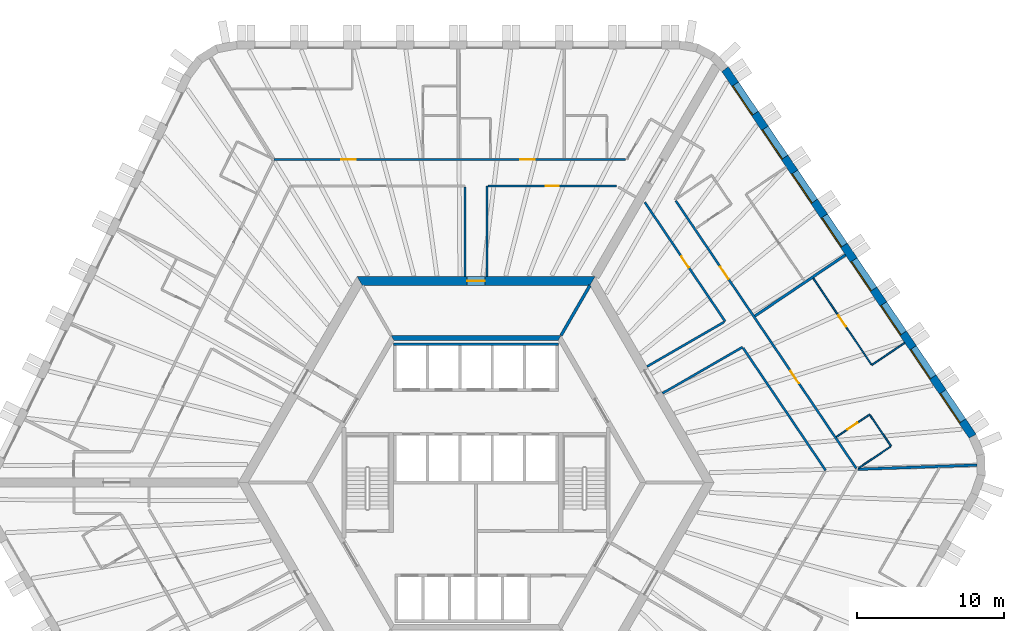
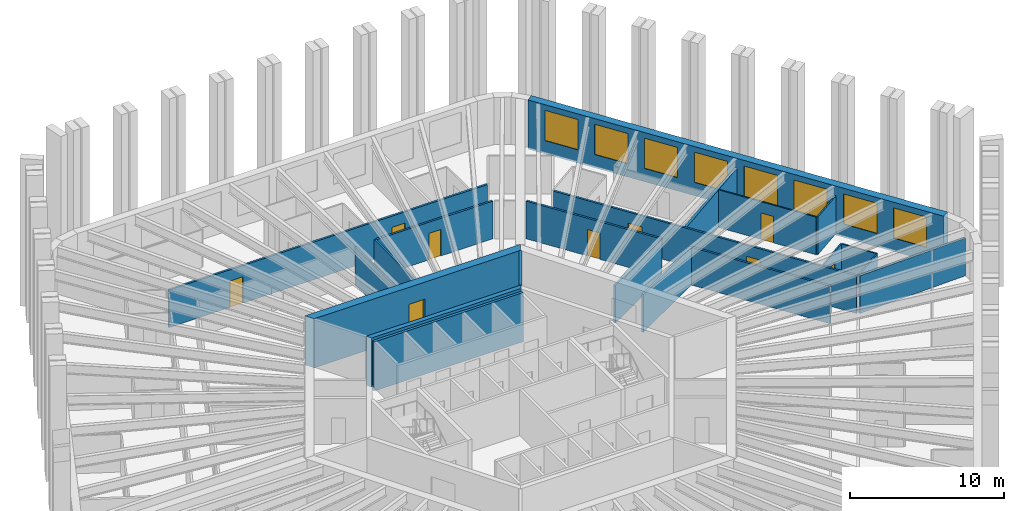
# One storey, part 9 of 13: 21 walls, 9 doors, 8 windows, 17 openings.
"""IFC4 building model written with IfcOpenShell, lengths in metres."""

from ifc_helpers import new_model, si_unit, direction, frame, frame_2d, origin, place, context, subcontext, project, spatial, polyline, rectangle, outline, extrude, material, layer, layer_set, type_object, element, fill, save


model = new_model("IFC4")

# Units and contexts
model_context = context("Model", 3, precision=1e-05, world=origin(), true_north=direction((0.0, 1.0)))
body_context = subcontext(model_context, "Body", "Model", "MODEL_VIEW")
ifc_project = project(units=[si_unit("LENGTHUNIT", "METRE"), si_unit("AREAUNIT", "SQUARE_METRE"), si_unit("VOLUMEUNIT", "CUBIC_METRE"), si_unit("PLANEANGLEUNIT", "RADIAN"), si_unit("MASSUNIT", "GRAM", prefix="KILO")], contexts=[model_context])

# Site, building, storey
site_placement = place(None, origin())
site = spatial("IfcSite", under=ifc_project, at=site_placement, CompositionType="ELEMENT")
building_placement = place(site_placement, origin())
building = spatial("IfcBuilding", under=site, at=building_placement, Name="Tarnside Tower", CompositionType="ELEMENT")
storey_placement = place(building_placement, frame((0.0, 0.0, 111.60009765625)))
storey = spatial("IfcBuildingStorey", under=building, at=storey_placement, Name="L25", CompositionType="ELEMENT", Elevation=111.60009765625)

# Wall, opening, door
ifc_material_1 = material(Name="Gypsum board partition on steel studs", Category="steel")
ifc_layer_1 = layer(ifc_material_1, 0.10009765625)
ifc_layer_set_1 = layer_set([ifc_layer_1], Name="Bathroom wall 100")
wall_type_1 = type_object("IfcWallType", Name="Bathroom wall 100", PredefinedType="PARTITIONING", material=ifc_layer_set_1)
wall_1_placement = place(storey_placement, frame((24.4755859375, 3.100830078125, 0.0), z_axis=(0.0, 0.0, 1.0), x_axis=(0.829047014003, 0.559178905694, 0.0)))
wall_1 = element("IfcWall", 1, at=wall_1_placement, inside=storey, type_object=wall_type_1, Name="Bathroom wall 08137", PredefinedType="PARTITIONING", context=body_context, shape_type="SweptSolid", body=[
    extrude(rectangle(XDim=2.724853515625, YDim=0.10009765625, at=frame_2d((1.3623046875, 0.0))), origin(), (0.0, 0.0, 1.0), 2.98779296875),
])
opening_1_placement = place(wall_1_placement, frame((0.925048828125, 0.0, 0.0)))
opening_1 = element("IfcOpeningElement", 2, at=opening_1_placement, cuts=wall_1, Name="Opening D-B1", PredefinedType="OPENING", context=body_context, shape_type="SweptSolid", body=[
    extrude(rectangle(XDim=0.800048828125, YDim=2.10009765625, at=frame_2d((0.39990234375, 1.050048828125))), frame((0.0, 0.06005859375, 0.0), z_axis=(0.0, -1.0, 0.0), x_axis=(1.0, 0.0, 0.0)), (0.0, 0.0, 1.0), 0.1201171875),
])
ifc_material_2 = material(Name="Timber door leaf", Category="wood")
door_type_1 = type_object("IfcDoorType", Name="Bathroom door 800", OperationType="NOTDEFINED", PredefinedType="DOOR", material=ifc_material_2)
door_1_placement = place(opening_1_placement, origin())
door_1 = element("IfcDoor", 3, at=door_1_placement, inside=storey, type_object=door_type_1, Name="Bathroom door 08035", OperationType="SINGLE_SWING_RIGHT", OverallHeight=2.10009765625, OverallWidth=0.800048828125, PredefinedType="DOOR", context=body_context, shape_type="SweptSolid", body=[
    extrude(rectangle(XDim=0.800048828125, YDim=2.10009765625, at=frame_2d((0.39990234375, 1.050048828125))), frame((0.0, 0.02490234375, 0.0), z_axis=(0.0, -1.0, 0.0), x_axis=(1.0, 0.0, 0.0)), (0.0, 0.0, 1.0), 0.050048828125),
])
fill(opening_1, door_1)

# Walls
wall_2_placement = place(storey_placement, frame((26.762451171875, 4.5830078125, 0.0), z_axis=(0.0, 0.0, 1.0), x_axis=(0.559221247909, -0.829018453285, 0.0)))
element("IfcWall", 4, at=wall_2_placement, inside=storey, type_object=wall_type_1, Name="Bathroom wall 08138", PredefinedType="PARTITIONING", context=body_context, shape_type="SweptSolid", body=[
    extrude(rectangle(XDim=2.550048828125, YDim=0.10009765625, at=frame_2d((1.27490234375, 0.0))), origin(), (0.0, 0.0, 1.0), 2.98779296875),
])
wall_3_placement = place(storey_placement, frame((28.14697265625, 2.441162109375, 0.0), z_axis=(0.0, 0.0, 1.0), x_axis=(-0.829023136679, -0.559214304941, 0.0)))
element("IfcWall", 5, at=wall_3_placement, inside=storey, type_object=wall_type_1, Name="Bathroom wall 08139", PredefinedType="PARTITIONING", context=body_context, shape_type="SweptSolid", body=[
    extrude(rectangle(XDim=2.578857421875, YDim=0.10009765625, at=frame_2d((1.28955078125, 0.0))), origin(), (0.0, 0.0, 1.0), 2.98779296875),
])
ifc_material_3 = material(Name="Concrete C50/60", Category="concrete")
ifc_layer_2 = layer(ifc_material_3, 0.35009765625)
ifc_layer_set_2 = layer_set([ifc_layer_2], Name="Core block wall 350 C50/60")
wall_type_2 = type_object("IfcWallType", Name="Core block wall 350 C50/60", PredefinedType="SHEAR", material=ifc_layer_set_2)
wall_4_placement = place(storey_placement, frame((5.672607421875, 9.824951171875, -0.150146484375), z_axis=(0.0, 0.0, 1.0), x_axis=(-1.0, 0.0, 0.0)))
element("IfcWall", 6, at=wall_4_placement, inside=storey, type_object=wall_type_2, Name="L25 core block wall face 1", PredefinedType="SHEAR", context=body_context, shape_type="SweptSolid", body=[
    extrude(outline(polyline([(-0.10107421875, -0.175048828125), (11.4462890625, -0.175048828125), (11.244140625, 0.175048828125), (0.10107421875, 0.175048828125), (-0.10107421875, -0.175048828125)])), origin(), (0.0, 0.0, 1.0), 3.900146484375),
])

# Wall, opening, door
ifc_material_4 = material(Name="Concrete C80/95", Category="concrete")
ifc_layer_3 = layer(ifc_material_4, 0.60009765625)
ifc_layer_set_3 = layer_set([ifc_layer_3], Name="Core wall Z1 600 C80/95")
wall_type_3 = type_object("IfcWallType", Name="Core wall Z1 600 C80/95", PredefinedType="SHEAR", material=ifc_layer_set_3)
wall_5_placement = place(storey_placement, frame((7.90966796875, 13.699951171875, -0.150146484375), z_axis=(0.0, 0.0, 1.0), x_axis=(-1.0, 0.0, 0.0)))
wall_5 = element("IfcWall", 7, at=wall_5_placement, inside=storey, type_object=wall_type_3, Name="L25 core wall face 1", PredefinedType="SHEAR", context=body_context, shape_type="SweptSolid", body=[
    extrude(outline(polyline([(-0.17333984375, -0.300048828125), (15.99267578125, -0.300048828125), (15.64599609375, 0.300048828125), (0.17333984375, 0.300048828125), (-0.17333984375, -0.300048828125)])), origin(), (0.0, 0.0, 1.0), 3.900146484375),
])
opening_2_placement = place(wall_5_placement, frame((7.309814453125, 0.0, 0.14990234375)))
opening_2 = element("IfcOpeningElement", 8, at=opening_2_placement, cuts=wall_5, Name="Opening CD-RSR", PredefinedType="OPENING", context=body_context, shape_type="SweptSolid", body=[
    extrude(rectangle(XDim=1.199951171875, YDim=2.39990234375, at=frame_2d((0.60009765625, 1.199951171875))), frame((0.0, 0.31005859375, 0.0), z_axis=(0.0, -1.0, 0.0), x_axis=(1.0, 0.0, 0.0)), (0.0, 0.0, 1.0), 0.6201171875),
])
ifc_material_5 = material(Name="Steel fire door", Category="steel")
door_type_2 = type_object("IfcDoorType", Name="Riser door FD60 1200x2400", OperationType="NOTDEFINED", PredefinedType="DOOR", material=ifc_material_5)
door_2_placement = place(opening_2_placement, origin())
door_2 = element("IfcDoor", 9, at=door_2_placement, inside=storey, type_object=door_type_2, Name="L25 core door S5", OperationType="SINGLE_SWING_LEFT", OverallHeight=2.39990234375, OverallWidth=1.199951171875, PredefinedType="DOOR", context=body_context, shape_type="SweptSolid", body=[
    extrude(rectangle(XDim=1.199951171875, YDim=2.39990234375, at=frame_2d((0.60009765625, 1.199951171875))), frame((0.0, 0.02490234375, 0.0), z_axis=(0.0, -1.0, 0.0), x_axis=(1.0, 0.0, 0.0)), (0.0, 0.0, 1.0), 0.050048828125),
])
fill(opening_2, door_2)

# Wall, openings, doors
ifc_layer_4 = layer(ifc_material_1, 0.14990234375)
ifc_layer_set_4 = layer_set([ifc_layer_4], Name="Corridor wall 150 EI 60")
wall_type_4 = type_object("IfcWallType", Name="Corridor wall 150 EI 60", PredefinedType="PARTITIONING", material=ifc_layer_set_4)
wall_6_placement = place(storey_placement, frame((10.161376953125, 21.949951171875, 0.0), z_axis=(0.0, 0.0, 1.0), x_axis=(-1.0, 0.0, 0.0)))
wall_6 = element("IfcWall", 10, at=wall_6_placement, inside=storey, type_object=wall_type_4, Name="Corridor wall 08003", PredefinedType="PARTITIONING", context=body_context, shape_type="SweptSolid", body=[
    extrude(rectangle(XDim=23.877197265625, YDim=0.14990234375, at=frame_2d((11.9384765625, 0.0))), origin(), (0.0, 0.0, 1.0), 2.98779296875),
])
opening_3_placement = place(wall_6_placement, frame((6.17236328125, 0.0, 0.0)))
opening_3 = element("IfcOpeningElement", 11, at=opening_3_placement, cuts=wall_6, Name="Opening D-E1", PredefinedType="OPENING", context=body_context, shape_type="SweptSolid", body=[
    extrude(rectangle(XDim=1.0, YDim=2.10009765625, at=frame_2d((0.5, 1.050048828125))), frame((0.0, 0.0849609375, 0.0), z_axis=(0.0, -1.0, 0.0), x_axis=(1.0, 0.0, 0.0)), (0.0, 0.0, 1.0), 0.169921875),
])
opening_4_placement = place(wall_6_placement, frame((18.324951171875, 0.0, 0.0)))
opening_4 = element("IfcOpeningElement", 12, at=opening_4_placement, cuts=wall_6, Name="Opening D-E1", PredefinedType="OPENING", context=body_context, shape_type="SweptSolid", body=[
    extrude(rectangle(XDim=1.0, YDim=2.10009765625, at=frame_2d((0.5, 1.050048828125))), frame((0.0, 0.0849609375, 0.0), z_axis=(0.0, -1.0, 0.0), x_axis=(1.0, 0.0, 0.0)), (0.0, 0.0, 1.0), 0.169921875),
])
door_type_3 = type_object("IfcDoorType", Name="Unit entrance door 1000 FD30S", OperationType="NOTDEFINED", PredefinedType="DOOR", material=ifc_material_2)
door_3_placement = place(opening_3_placement, origin())
door_3 = element("IfcDoor", 13, at=door_3_placement, inside=storey, type_object=door_type_3, Name="Unit door 08003", OperationType="SINGLE_SWING_LEFT", OverallHeight=2.10009765625, OverallWidth=1.0, PredefinedType="DOOR", context=body_context, shape_type="SweptSolid", body=[
    extrude(rectangle(XDim=1.0, YDim=2.10009765625, at=frame_2d((0.5, 1.050048828125))), frame((0.0, 0.02490234375, 0.0), z_axis=(0.0, -1.0, 0.0), x_axis=(1.0, 0.0, 0.0)), (0.0, 0.0, 1.0), 0.050048828125),
])
fill(opening_3, door_3)
door_4_placement = place(opening_4_placement, origin())
door_4 = element("IfcDoor", 14, at=door_4_placement, inside=storey, type_object=door_type_3, Name="Unit door 08005", OperationType="SINGLE_SWING_RIGHT", OverallHeight=2.10009765625, OverallWidth=1.0, PredefinedType="DOOR", context=body_context, shape_type="SweptSolid", body=[
    extrude(rectangle(XDim=1.0, YDim=2.10009765625, at=frame_2d((0.5, 1.050048828125))), frame((0.0, 0.02490234375, 0.0), z_axis=(0.0, -1.0, 0.0), x_axis=(1.0, 0.0, 0.0)), (0.0, 0.0, 1.0), 0.050048828125),
])
fill(opening_4, door_4)

# Walls
wall_7_placement = place(storey_placement, frame((-0.75, 20.074951171875, 0.0), z_axis=(0.0, 0.0, 1.0), x_axis=(0.0, -1.0, 0.0)))
element("IfcWall", 15, at=wall_7_placement, inside=storey, type_object=wall_type_4, Name="Corridor wall 08019", PredefinedType="PARTITIONING", context=body_context, shape_type="SweptSolid", body=[
    extrude(rectangle(XDim=6.074951171875, YDim=0.14990234375, at=frame_2d((3.03759765625, 0.0))), origin(), (0.0, 0.0, 1.0), 2.98779296875),
])
wall_8_placement = place(storey_placement, frame((0.75, 14.0, 0.0), z_axis=(0.0, 0.0, 1.0), x_axis=(0.0, 1.0, 0.0)))
element("IfcWall", 16, at=wall_8_placement, inside=storey, type_object=wall_type_4, Name="Corridor wall 08020", PredefinedType="PARTITIONING", context=body_context, shape_type="SweptSolid", body=[
    extrude(rectangle(XDim=6.14990234375, YDim=0.14990234375, at=frame_2d((3.074951171875, 0.0))), origin(), (0.0, 0.0, 1.0), 2.98779296875),
])

# Wall, opening, door
wall_9_placement = place(storey_placement, frame((0.824951171875, 20.14990234375, 0.0), z_axis=(0.0, 0.0, 1.0), x_axis=(1.0, 0.0, 0.0)))
wall_9 = element("IfcWall", 17, at=wall_9_placement, inside=storey, type_object=wall_type_4, Name="Corridor wall 08021", PredefinedType="PARTITIONING", context=body_context, shape_type="SweptSolid", body=[
    extrude(rectangle(XDim=8.712158203125, YDim=0.14990234375, at=frame_2d((4.35595703125, 0.0))), origin(), (0.0, 0.0, 1.0), 2.98779296875),
])
opening_5_placement = place(wall_9_placement, frame((3.906005859375, 0.0, 0.0)))
opening_5 = element("IfcOpeningElement", 18, at=opening_5_placement, cuts=wall_9, Name="Opening D-S1", PredefinedType="OPENING", context=body_context, shape_type="SweptSolid", body=[
    extrude(rectangle(XDim=0.89990234375, YDim=2.10009765625, at=frame_2d((0.449951171875, 1.050048828125))), frame((0.0, 0.0849609375, 0.0), z_axis=(0.0, -1.0, 0.0), x_axis=(1.0, 0.0, 0.0)), (0.0, 0.0, 1.0), 0.169921875),
])
door_type_4 = type_object("IfcDoorType", Name="Service room door 900 FD30S", OperationType="NOTDEFINED", PredefinedType="DOOR", material=ifc_material_2)
door_5_placement = place(opening_5_placement, origin())
door_5 = element("IfcDoor", 19, at=door_5_placement, inside=storey, type_object=door_type_4, Name="Service door 08041", OperationType="SINGLE_SWING_RIGHT", OverallHeight=2.10009765625, OverallWidth=0.89990234375, PredefinedType="DOOR", context=body_context, shape_type="SweptSolid", body=[
    extrude(rectangle(XDim=0.89990234375, YDim=2.10009765625, at=frame_2d((0.449951171875, 1.050048828125))), frame((0.0, 0.02490234375, 0.0), z_axis=(0.0, -1.0, 0.0), x_axis=(1.0, 0.0, 0.0)), (0.0, 0.0, 1.0), 0.050048828125),
])
fill(opening_5, door_5)

# Wall, openings, doors
wall_10_placement = place(storey_placement, frame((25.820556640625, 0.972412109375, 0.0), z_axis=(0.0, 0.0, 1.0), x_axis=(-0.559192946342, 0.829037543638, 0.0)))
wall_10 = element("IfcWall", 20, at=wall_10_placement, inside=storey, type_object=wall_type_4, Name="Corridor wall 08056", PredefinedType="PARTITIONING", context=body_context, shape_type="SweptSolid", body=[
    extrude(rectangle(XDim=21.91845703125, YDim=0.14990234375, at=frame_2d((10.959228515625, 0.0))), origin(), (0.0, 0.0, 1.0), 2.98779296875),
])
opening_6_placement = place(wall_10_placement, frame((6.968994140625, 0.0, 0.0)))
opening_6 = element("IfcOpeningElement", 21, at=opening_6_placement, cuts=wall_10, Name="Opening D-E1", PredefinedType="OPENING", context=body_context, shape_type="SweptSolid", body=[
    extrude(rectangle(XDim=1.0, YDim=2.10009765625, at=frame_2d((0.5, 1.050048828125))), frame((0.0, 0.0849609375, 0.0), z_axis=(0.0, -1.0, 0.0), x_axis=(1.0, 0.0, 0.0)), (0.0, 0.0, 1.0), 0.169921875),
])
opening_7_placement = place(wall_10_placement, frame((15.511474609375, 0.0, 0.0)))
opening_7 = element("IfcOpeningElement", 22, at=opening_7_placement, cuts=wall_10, Name="Opening D-E1", PredefinedType="OPENING", context=body_context, shape_type="SweptSolid", body=[
    extrude(rectangle(XDim=1.0, YDim=2.10009765625, at=frame_2d((0.5, 1.050048828125))), frame((0.0, 0.0849609375, 0.0), z_axis=(0.0, -1.0, 0.0), x_axis=(1.0, 0.0, 0.0)), (0.0, 0.0, 1.0), 0.169921875),
])
door_6_placement = place(opening_6_placement, origin())
door_6 = element("IfcDoor", 23, at=door_6_placement, inside=storey, type_object=door_type_3, Name="Unit door 08034", OperationType="SINGLE_SWING_RIGHT", OverallHeight=2.10009765625, OverallWidth=1.0, PredefinedType="DOOR", context=body_context, shape_type="SweptSolid", body=[
    extrude(rectangle(XDim=1.0, YDim=2.10009765625, at=frame_2d((0.5, 1.050048828125))), frame((0.0, 0.02490234375, 0.0), z_axis=(0.0, -1.0, 0.0), x_axis=(1.0, 0.0, 0.0)), (0.0, 0.0, 1.0), 0.050048828125),
])
fill(opening_6, door_6)
door_7_placement = place(opening_7_placement, origin())
door_7 = element("IfcDoor", 24, at=door_7_placement, inside=storey, type_object=door_type_3, Name="Unit door 08037", OperationType="SINGLE_SWING_LEFT", OverallHeight=2.10009765625, OverallWidth=1.0, PredefinedType="DOOR", context=body_context, shape_type="SweptSolid", body=[
    extrude(rectangle(XDim=1.0, YDim=2.10009765625, at=frame_2d((0.5, 1.050048828125))), frame((0.0, 0.02490234375, 0.0), z_axis=(0.0, -1.0, 0.0), x_axis=(1.0, 0.0, 0.0)), (0.0, 0.0, 1.0), 0.050048828125),
])
fill(opening_7, door_7)

# Walls
wall_11_placement = place(storey_placement, frame((12.663818359375, 6.065673828125, 0.0), z_axis=(0.0, 0.0, 1.0), x_axis=(0.866036561919, 0.499980673046, 0.0)))
element("IfcWall", 25, at=wall_11_placement, inside=storey, type_object=wall_type_4, Name="Corridor wall 08062", PredefinedType="PARTITIONING", context=body_context, shape_type="SweptSolid", body=[
    extrude(rectangle(XDim=6.274658203125, YDim=0.14990234375, at=frame_2d((3.13720703125, 0.0))), origin(), (0.0, 0.0, 1.0), 2.98779296875),
])
wall_12_placement = place(storey_placement, frame((18.139892578125, 9.140625, 0.0), z_axis=(0.0, 0.0, 1.0), x_axis=(0.55918799196, -0.829040885389, 0.0)))
element("IfcWall", 26, at=wall_12_placement, inside=storey, type_object=wall_type_4, Name="Corridor wall 08063", PredefinedType="PARTITIONING", context=body_context, shape_type="SweptSolid", body=[
    extrude(rectangle(XDim=10.025146484375, YDim=0.14990234375, at=frame_2d((5.0126953125, 0.0))), origin(), (0.0, 0.0, 1.0), 2.98779296875),
])

# Wall, opening, door
wall_13_placement = place(storey_placement, frame((11.464599609375, 19.037109375, 0.0), z_axis=(0.0, 0.0, 1.0), x_axis=(0.559196064773, -0.829035440221, 0.0)))
wall_13 = element("IfcWall", 27, at=wall_13_placement, inside=storey, type_object=wall_type_4, Name="Corridor wall 08069", PredefinedType="PARTITIONING", context=body_context, shape_type="SweptSolid", body=[
    extrude(rectangle(XDim=9.757080078125, YDim=0.14990234375, at=frame_2d((4.87841796875, 0.0))), origin(), (0.0, 0.0, 1.0), 2.98779296875),
])
opening_8_placement = place(wall_13_placement, frame((4.428466796875, 0.0, 0.0)))
opening_8 = element("IfcOpeningElement", 28, at=opening_8_placement, cuts=wall_13, Name="Opening D-S1", PredefinedType="OPENING", context=body_context, shape_type="SweptSolid", body=[
    extrude(rectangle(XDim=0.89990234375, YDim=2.10009765625, at=frame_2d((0.449951171875, 1.050048828125))), frame((0.0, 0.0849609375, 0.0), z_axis=(0.0, -1.0, 0.0), x_axis=(1.0, 0.0, 0.0)), (0.0, 0.0, 1.0), 0.169921875),
])
door_8_placement = place(opening_8_placement, origin())
door_8 = element("IfcDoor", 29, at=door_8_placement, inside=storey, type_object=door_type_4, Name="Service door 08048", OperationType="SINGLE_SWING_RIGHT", OverallHeight=2.10009765625, OverallWidth=0.89990234375, PredefinedType="DOOR", context=body_context, shape_type="SweptSolid", body=[
    extrude(rectangle(XDim=0.89990234375, YDim=2.10009765625, at=frame_2d((0.449951171875, 1.050048828125))), frame((0.0, 0.02490234375, 0.0), z_axis=(0.0, -1.0, 0.0), x_axis=(1.0, 0.0, 0.0)), (0.0, 0.0, 1.0), 0.050048828125),
])
fill(opening_8, door_8)

# Walls
wall_14_placement = place(storey_placement, frame((16.85546875, 10.91064453125, 0.0), z_axis=(0.0, 0.0, 1.0), x_axis=(-0.866020343444, -0.500008764664, 0.0)))
element("IfcWall", 30, at=wall_14_placement, inside=storey, type_object=wall_type_4, Name="Corridor wall 08070", PredefinedType="PARTITIONING", context=body_context, shape_type="SweptSolid", body=[
    extrude(rectangle(XDim=6.052734375, YDim=0.14990234375, at=frame_2d((3.0263671875, 0.0))), origin(), (0.0, 0.0, 1.0), 2.98779296875),
])
ifc_layer_5 = layer(ifc_material_1, 0.179931640625)
ifc_layer_set_5 = layer_set([ifc_layer_5], Name="Demising wall 180 EI 60")
wall_type_5 = type_object("IfcWallType", Name="Demising wall 180 EI 60", PredefinedType="PARTITIONING", material=ifc_layer_set_5)
wall_15_placement = place(storey_placement, frame((34.0234375, 1.188232421875, 0.0), z_axis=(0.0, 0.0, 1.0), x_axis=(-0.999390818315, -0.03489974594, 0.0)))
element("IfcWall", 31, at=wall_15_placement, inside=storey, type_object=wall_type_5, Name="Demising wall 08135", PredefinedType="PARTITIONING", context=body_context, shape_type="SweptSolid", body=[
    extrude(rectangle(XDim=8.07275390625, YDim=0.179931640625, at=frame_2d((4.036376953125, 0.0))), origin(), (0.0, 0.0, 1.0), 2.98779296875),
])
wall_16_placement = place(storey_placement, frame((25.09228515625, 15.464111328125, 0.0), z_axis=(0.0, 0.0, 1.0), x_axis=(-0.829043414408, -0.559184242471, 0.0)))
element("IfcWall", 32, at=wall_16_placement, inside=storey, type_object=wall_type_5, Name="Demising wall 08142", PredefinedType="PARTITIONING", context=body_context, shape_type="SweptSolid", body=[
    extrude(rectangle(XDim=7.4248046875, YDim=0.179931640625, at=frame_2d((3.71240234375, 0.0))), origin(), (0.0, 0.0, 1.0), 2.98779296875),
])
ifc_material_6 = material(Name="Concrete C40/50", Category="concrete")
ifc_layer_6 = layer(ifc_material_6, 0.199951171875)
ifc_layer_set_6 = layer_set([ifc_layer_6], Name="Lift shaft wall 200 C40/50")
wall_type_6 = type_object("IfcWallType", Name="Lift shaft wall 200 C40/50", PredefinedType="SHEAR", material=ifc_layer_set_6)
wall_17_placement = place(storey_placement, frame((-5.60009765625, 9.39990234375, -0.25), z_axis=(0.0, 0.0, 1.0), x_axis=(1.0, 0.0, 0.0)))
element("IfcWall", 33, at=wall_17_placement, inside=storey, type_object=wall_type_6, Name="L25 lift shaft back wall R1", PredefinedType="SHEAR", context=body_context, shape_type="SweptSolid", body=[
    extrude(rectangle(XDim=11.2001953125, YDim=0.199951171875, at=frame_2d((5.60009765625, 0.0))), origin(), (0.0, 0.0, 1.0), 3.89990234375),
])
wall_18_placement = place(storey_placement, frame((5.7734375, 10.0, -0.150146484375), z_axis=(0.0, 0.0, 1.0), x_axis=(0.500038251005, 0.86600331843, 0.0)))
element("IfcWall", 34, at=wall_18_placement, inside=storey, type_object=wall_type_6, Name="L25 core partition AR60", PredefinedType="SHEAR", context=body_context, shape_type="SweptSolid", body=[
    extrude(rectangle(XDim=3.926025390625, YDim=0.199951171875, at=frame_2d((1.962890625, 0.0))), origin(), (0.0, 0.0, 1.0), 3.900146484375),
])
ifc_layer_7 = layer(ifc_material_1, 0.10009765625)
ifc_layer_set_7 = layer_set([ifc_layer_7], Name="Partition 100")
wall_type_7 = type_object("IfcWallType", Name="Partition 100", PredefinedType="PARTITIONING", material=ifc_layer_set_7)
wall_19_placement = place(storey_placement, frame((29.11865234375, 9.4951171875, 0.0), z_axis=(0.0, 0.0, 1.0), x_axis=(-0.829061405999, -0.559157567313, 0.0)))
element("IfcWall", 35, at=wall_19_placement, inside=storey, type_object=wall_type_7, Name="Partition wall 08140", PredefinedType="PARTITIONING", context=body_context, shape_type="SweptSolid", body=[
    extrude(rectangle(XDim=2.699951171875, YDim=0.10009765625, at=frame_2d((1.35009765625, 0.0))), origin(), (0.0, 0.0, 1.0), 2.98779296875),
])

# Wall, opening, door
wall_20_placement = place(storey_placement, frame((26.852294921875, 8.02685546875, 0.0), z_axis=(0.0, 0.0, 1.0), x_axis=(-0.559216845309, 0.829021423078, 0.0)))
wall_20 = element("IfcWall", 36, at=wall_20_placement, inside=storey, type_object=wall_type_7, Name="Partition wall 08141", PredefinedType="PARTITIONING", context=body_context, shape_type="SweptSolid", body=[
    extrude(rectangle(XDim=7.059814453125, YDim=0.10009765625, at=frame_2d((3.52978515625, 0.0))), origin(), (0.0, 0.0, 1.0), 2.98779296875),
])
opening_9_placement = place(wall_20_placement, frame((3.10009765625, 0.0, 0.0)))
opening_9 = element("IfcOpeningElement", 37, at=opening_9_placement, cuts=wall_20, Name="Opening D-I1", PredefinedType="OPENING", context=body_context, shape_type="SweptSolid", body=[
    extrude(rectangle(XDim=0.89990234375, YDim=2.10009765625, at=frame_2d((0.449951171875, 1.050048828125))), frame((0.0, 0.06005859375, 0.0), z_axis=(0.0, -1.0, 0.0), x_axis=(1.0, 0.0, 0.0)), (0.0, 0.0, 1.0), 0.1201171875),
])
door_type_5 = type_object("IfcDoorType", Name="Internal door 900", OperationType="NOTDEFINED", PredefinedType="DOOR", material=ifc_material_2)
door_9_placement = place(opening_9_placement, origin())
door_9 = element("IfcDoor", 38, at=door_9_placement, inside=storey, type_object=door_type_5, Name="Internal door 08036", OperationType="SINGLE_SWING_RIGHT", OverallHeight=2.10009765625, OverallWidth=0.89990234375, PredefinedType="DOOR", context=body_context, shape_type="SweptSolid", body=[
    extrude(rectangle(XDim=0.89990234375, YDim=2.10009765625, at=frame_2d((0.449951171875, 1.050048828125))), frame((0.0, 0.02490234375, 0.0), z_axis=(0.0, -1.0, 0.0), x_axis=(1.0, 0.0, 0.0)), (0.0, 0.0, 1.0), 0.050048828125),
])
fill(opening_9, door_9)

# Wall, openings, windows
ifc_material_7 = material(Name="Facing brick", Category="masonry")
ifc_layer_8 = layer(ifc_material_7, 0.10205078125)
ifc_material_8 = material(Name="Concrete C60/75 precast", Category="concrete")
ifc_layer_9 = layer(ifc_material_8, 0.347900390625)
ifc_material_9 = material(Name="Mineral wool insulation")
ifc_layer_10 = layer(ifc_material_9, 0.10009765625)
ifc_layer_set_8 = layer_set([ifc_layer_8, ifc_layer_9, ifc_layer_10], Name="Tube wall 550 brick faced")
wall_type_8 = type_object("IfcWallType", Name="Tube wall 550 brick faced", PredefinedType="SOLIDWALL", material=ifc_layer_set_8)
wall_21_placement = place(storey_placement, frame((33.72802734375, 3.153076171875, -0.150146484375), z_axis=(0.0, 0.0, 1.0), x_axis=(-0.559192411416, 0.82903790445, 0.0)))
wall_21 = element("IfcWall", 39, at=wall_21_placement, inside=storey, type_object=wall_type_8, Name="Tube wall L25 F6 flush 20", PredefinedType="SOLIDWALL", context=body_context, shape_type="SweptSolid", body=[
    extrude(outline(polyline([(-0.025634765625, -0.27490234375), (30.09326171875, -0.27490234375), (30.04833984375, 0.27490234375), (0.025634765625, 0.27490234375), (-0.025634765625, -0.27490234375)])), origin(), (0.0, 0.0, 1.0), 3.900146484375),
])
opening_10_placement = place(wall_21_placement, frame((1.235595703125, 0.0, 1.050048828125)))
opening_10 = element("IfcOpeningElement", 40, at=opening_10_placement, cuts=wall_21, Name="Opening WH", PredefinedType="OPENING", context=body_context, shape_type="SweptSolid", body=[
    extrude(rectangle(XDim=2.39990234375, YDim=2.39990234375, at=frame_2d((1.199951171875, 1.199951171875))), frame((0.0, 0.28515625, 0.0), z_axis=(0.0, -1.0, 0.0), x_axis=(1.0, 0.0, 0.0)), (0.0, 0.0, 1.0), 0.570068359375),
])
opening_11_placement = place(wall_21_placement, frame((4.83544921875, 0.0, 1.050048828125)))
opening_11 = element("IfcOpeningElement", 41, at=opening_11_placement, cuts=wall_21, Name="Opening WH", PredefinedType="OPENING", context=body_context, shape_type="SweptSolid", body=[
    extrude(rectangle(XDim=2.39990234375, YDim=2.39990234375, at=frame_2d((1.199951171875, 1.199951171875))), frame((0.0, 0.28515625, 0.0), z_axis=(0.0, -1.0, 0.0), x_axis=(1.0, 0.0, 0.0)), (0.0, 0.0, 1.0), 0.570068359375),
])
opening_12_placement = place(wall_21_placement, frame((8.435546875, 0.0, 1.050048828125)))
opening_12 = element("IfcOpeningElement", 42, at=opening_12_placement, cuts=wall_21, Name="Opening WH", PredefinedType="OPENING", context=body_context, shape_type="SweptSolid", body=[
    extrude(rectangle(XDim=2.39990234375, YDim=2.39990234375, at=frame_2d((1.199951171875, 1.199951171875))), frame((0.0, 0.28515625, 0.0), z_axis=(0.0, -1.0, 0.0), x_axis=(1.0, 0.0, 0.0)), (0.0, 0.0, 1.0), 0.570068359375),
])
opening_13_placement = place(wall_21_placement, frame((12.035400390625, 0.0, 1.050048828125)))
opening_13 = element("IfcOpeningElement", 43, at=opening_13_placement, cuts=wall_21, Name="Opening WH", PredefinedType="OPENING", context=body_context, shape_type="SweptSolid", body=[
    extrude(rectangle(XDim=2.39990234375, YDim=2.39990234375, at=frame_2d((1.199951171875, 1.199951171875))), frame((0.0, 0.28515625, 0.0), z_axis=(0.0, -1.0, 0.0), x_axis=(1.0, 0.0, 0.0)), (0.0, 0.0, 1.0), 0.570068359375),
])
opening_14_placement = place(wall_21_placement, frame((15.635498046875, 0.0, 1.050048828125)))
opening_14 = element("IfcOpeningElement", 44, at=opening_14_placement, cuts=wall_21, Name="Opening WH", PredefinedType="OPENING", context=body_context, shape_type="SweptSolid", body=[
    extrude(rectangle(XDim=2.39990234375, YDim=2.39990234375, at=frame_2d((1.199951171875, 1.199951171875))), frame((0.0, 0.28515625, 0.0), z_axis=(0.0, -1.0, 0.0), x_axis=(1.0, 0.0, 0.0)), (0.0, 0.0, 1.0), 0.570068359375),
])
opening_15_placement = place(wall_21_placement, frame((19.235595703125, 0.0, 1.050048828125)))
opening_15 = element("IfcOpeningElement", 45, at=opening_15_placement, cuts=wall_21, Name="Opening WH", PredefinedType="OPENING", context=body_context, shape_type="SweptSolid", body=[
    extrude(rectangle(XDim=2.39990234375, YDim=2.39990234375, at=frame_2d((1.199951171875, 1.199951171875))), frame((0.0, 0.28515625, 0.0), z_axis=(0.0, -1.0, 0.0), x_axis=(1.0, 0.0, 0.0)), (0.0, 0.0, 1.0), 0.570068359375),
])
opening_16_placement = place(wall_21_placement, frame((22.83544921875, 0.0, 1.050048828125)))
opening_16 = element("IfcOpeningElement", 46, at=opening_16_placement, cuts=wall_21, Name="Opening WH", PredefinedType="OPENING", context=body_context, shape_type="SweptSolid", body=[
    extrude(rectangle(XDim=2.39990234375, YDim=2.39990234375, at=frame_2d((1.199951171875, 1.199951171875))), frame((0.0, 0.28515625, 0.0), z_axis=(0.0, -1.0, 0.0), x_axis=(1.0, 0.0, 0.0)), (0.0, 0.0, 1.0), 0.570068359375),
])
opening_17_placement = place(wall_21_placement, frame((26.435546875, 0.0, 1.050048828125)))
opening_17 = element("IfcOpeningElement", 47, at=opening_17_placement, cuts=wall_21, Name="Opening WH", PredefinedType="OPENING", context=body_context, shape_type="SweptSolid", body=[
    extrude(rectangle(XDim=2.39990234375, YDim=2.39990234375, at=frame_2d((1.199951171875, 1.199951171875))), frame((0.0, 0.28515625, 0.0), z_axis=(0.0, -1.0, 0.0), x_axis=(1.0, 0.0, 0.0)), (0.0, 0.0, 1.0), 0.570068359375),
])
ifc_material_10 = material(Name="Aluminium-framed double glazing", Category="aluminium")
window_type = type_object("IfcWindowType", Name="Hotel window 2400 x 2400", PartitioningType="DOUBLE_PANEL_VERTICAL", PredefinedType="WINDOW", material=ifc_material_10)
window_1_placement = place(opening_10_placement, frame((0.0, 0.205078125, 0.0)))
window_1 = element("IfcWindow", 48, at=window_1_placement, inside=storey, type_object=window_type, Name="E.WN.L25.F6.00", OverallHeight=2.39990234375, OverallWidth=2.39990234375, PartitioningType="DOUBLE_PANEL_VERTICAL", PredefinedType="WINDOW", context=body_context, shape_type="SweptSolid", body=[
    extrude(rectangle(XDim=2.39990234375, YDim=2.39990234375, at=frame_2d((1.199951171875, 1.199951171875))), frame((0.0, 0.030029296875, 0.0), z_axis=(0.0, -1.0, 0.0), x_axis=(1.0, 0.0, 0.0)), (0.0, 0.0, 1.0), 0.06005859375),
])
fill(opening_10, window_1)
window_2_placement = place(opening_11_placement, frame((0.0, 0.205078125, 0.0)))
window_2 = element("IfcWindow", 49, at=window_2_placement, inside=storey, type_object=window_type, Name="E.WN.L25.F6.01", OverallHeight=2.39990234375, OverallWidth=2.39990234375, PartitioningType="DOUBLE_PANEL_VERTICAL", PredefinedType="WINDOW", context=body_context, shape_type="SweptSolid", body=[
    extrude(rectangle(XDim=2.39990234375, YDim=2.39990234375, at=frame_2d((1.199951171875, 1.199951171875))), frame((0.0, 0.030029296875, 0.0), z_axis=(0.0, -1.0, 0.0), x_axis=(1.0, 0.0, 0.0)), (0.0, 0.0, 1.0), 0.06005859375),
])
fill(opening_11, window_2)
window_3_placement = place(opening_12_placement, frame((0.0, 0.205078125, 0.0)))
window_3 = element("IfcWindow", 50, at=window_3_placement, inside=storey, type_object=window_type, Name="E.WN.L25.F6.02", OverallHeight=2.39990234375, OverallWidth=2.39990234375, PartitioningType="DOUBLE_PANEL_VERTICAL", PredefinedType="WINDOW", context=body_context, shape_type="SweptSolid", body=[
    extrude(rectangle(XDim=2.39990234375, YDim=2.39990234375, at=frame_2d((1.199951171875, 1.199951171875))), frame((0.0, 0.030029296875, 0.0), z_axis=(0.0, -1.0, 0.0), x_axis=(1.0, 0.0, 0.0)), (0.0, 0.0, 1.0), 0.06005859375),
])
fill(opening_12, window_3)
window_4_placement = place(opening_13_placement, frame((0.0, 0.205078125, 0.0)))
window_4 = element("IfcWindow", 51, at=window_4_placement, inside=storey, type_object=window_type, Name="E.WN.L25.F6.03", OverallHeight=2.39990234375, OverallWidth=2.39990234375, PartitioningType="DOUBLE_PANEL_VERTICAL", PredefinedType="WINDOW", context=body_context, shape_type="SweptSolid", body=[
    extrude(rectangle(XDim=2.39990234375, YDim=2.39990234375, at=frame_2d((1.199951171875, 1.199951171875))), frame((0.0, 0.030029296875, 0.0), z_axis=(0.0, -1.0, 0.0), x_axis=(1.0, 0.0, 0.0)), (0.0, 0.0, 1.0), 0.06005859375),
])
fill(opening_13, window_4)
window_5_placement = place(opening_14_placement, frame((0.0, 0.205078125, 0.0)))
window_5 = element("IfcWindow", 52, at=window_5_placement, inside=storey, type_object=window_type, Name="E.WN.L25.F6.04", OverallHeight=2.39990234375, OverallWidth=2.39990234375, PartitioningType="DOUBLE_PANEL_VERTICAL", PredefinedType="WINDOW", context=body_context, shape_type="SweptSolid", body=[
    extrude(rectangle(XDim=2.39990234375, YDim=2.39990234375, at=frame_2d((1.199951171875, 1.199951171875))), frame((0.0, 0.030029296875, 0.0), z_axis=(0.0, -1.0, 0.0), x_axis=(1.0, 0.0, 0.0)), (0.0, 0.0, 1.0), 0.06005859375),
])
fill(opening_14, window_5)
window_6_placement = place(opening_15_placement, frame((0.0, 0.205078125, 0.0)))
window_6 = element("IfcWindow", 53, at=window_6_placement, inside=storey, type_object=window_type, Name="E.WN.L25.F6.05", OverallHeight=2.39990234375, OverallWidth=2.39990234375, PartitioningType="DOUBLE_PANEL_VERTICAL", PredefinedType="WINDOW", context=body_context, shape_type="SweptSolid", body=[
    extrude(rectangle(XDim=2.39990234375, YDim=2.39990234375, at=frame_2d((1.199951171875, 1.199951171875))), frame((0.0, 0.030029296875, 0.0), z_axis=(0.0, -1.0, 0.0), x_axis=(1.0, 0.0, 0.0)), (0.0, 0.0, 1.0), 0.06005859375),
])
fill(opening_15, window_6)
window_7_placement = place(opening_16_placement, frame((0.0, 0.205078125, 0.0)))
window_7 = element("IfcWindow", 54, at=window_7_placement, inside=storey, type_object=window_type, Name="E.WN.L25.F6.06", OverallHeight=2.39990234375, OverallWidth=2.39990234375, PartitioningType="DOUBLE_PANEL_VERTICAL", PredefinedType="WINDOW", context=body_context, shape_type="SweptSolid", body=[
    extrude(rectangle(XDim=2.39990234375, YDim=2.39990234375, at=frame_2d((1.199951171875, 1.199951171875))), frame((0.0, 0.030029296875, 0.0), z_axis=(0.0, -1.0, 0.0), x_axis=(1.0, 0.0, 0.0)), (0.0, 0.0, 1.0), 0.06005859375),
])
fill(opening_16, window_7)
window_8_placement = place(opening_17_placement, frame((0.0, 0.205078125, 0.0)))
window_8 = element("IfcWindow", 55, at=window_8_placement, inside=storey, type_object=window_type, Name="E.WN.L25.F6.07", OverallHeight=2.39990234375, OverallWidth=2.39990234375, PartitioningType="DOUBLE_PANEL_VERTICAL", PredefinedType="WINDOW", context=body_context, shape_type="SweptSolid", body=[
    extrude(rectangle(XDim=2.39990234375, YDim=2.39990234375, at=frame_2d((1.199951171875, 1.199951171875))), frame((0.0, 0.030029296875, 0.0), z_axis=(0.0, -1.0, 0.0), x_axis=(1.0, 0.0, 0.0)), (0.0, 0.0, 1.0), 0.06005859375),
])
fill(opening_17, window_8)

save(model, "model.ifc")
